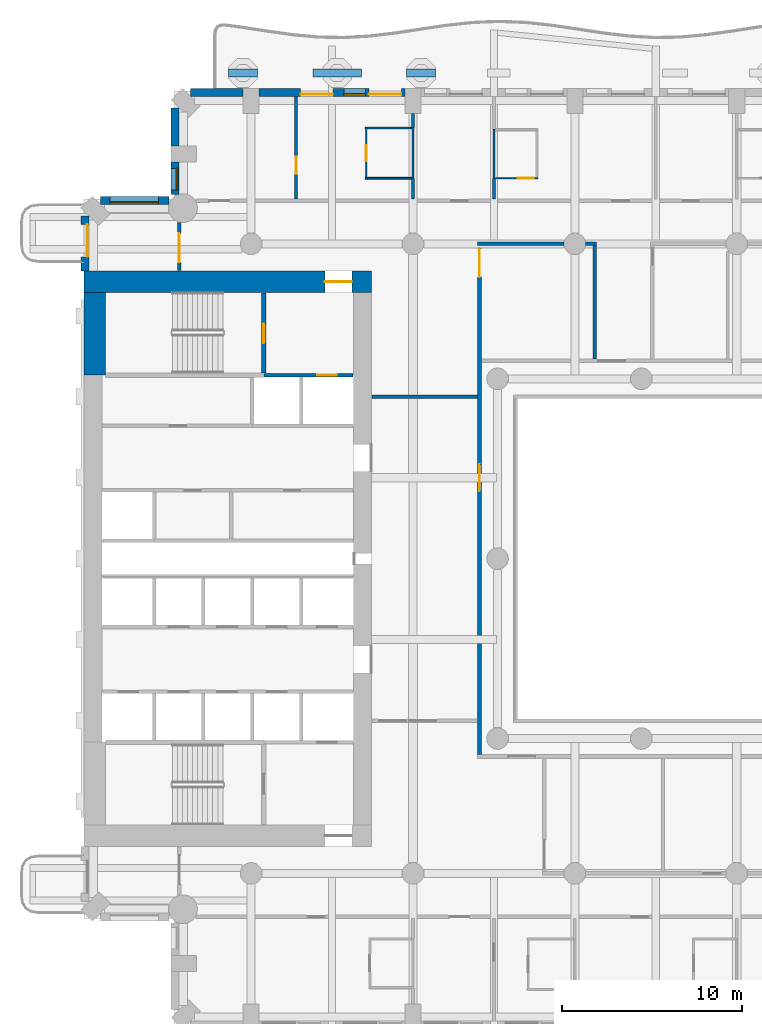
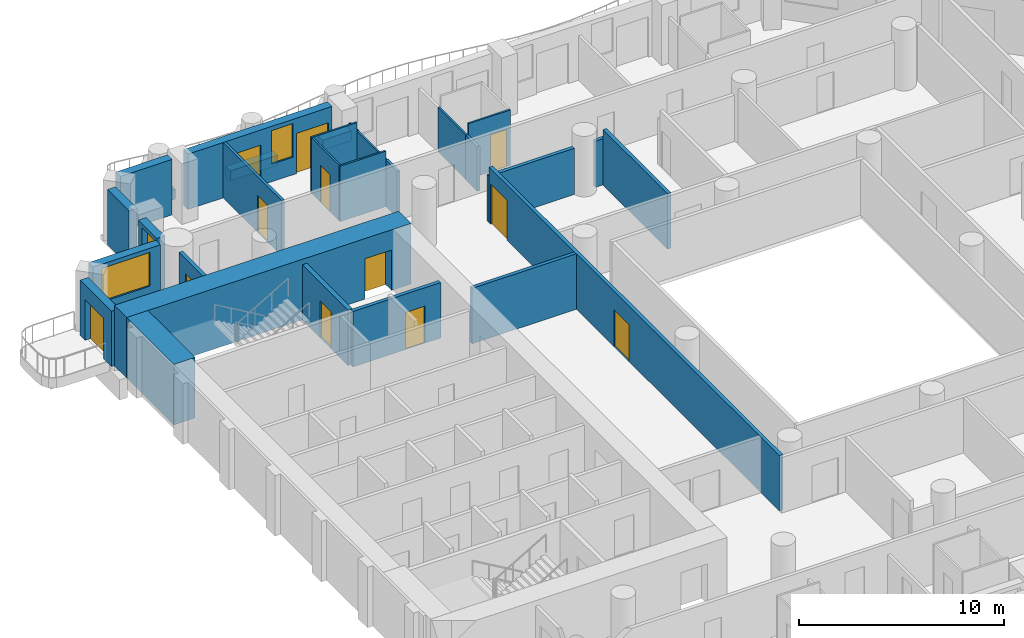
# One storey, part 7 of 19: 29 walls, 12 doors, 3 windows, 15 openings.
"""IFC4 building model written with IfcOpenShell, lengths in metres."""

from ifc_helpers import new_model, si_unit, direction, frame, frame_2d, origin, place, context, subcontext, project, spatial, rectangle, extrude, material, layer, layer_set, type_object, element, fill, save


model = new_model("IFC4")

# Units and contexts
model_context = context("Model", 3, precision=1e-05, world=origin(), true_north=direction((0.0, 1.0)))
body_context = subcontext(model_context, "Body", "Model", "MODEL_VIEW")
ifc_project = project(units=[si_unit("LENGTHUNIT", "METRE"), si_unit("AREAUNIT", "SQUARE_METRE"), si_unit("VOLUMEUNIT", "CUBIC_METRE"), si_unit("PLANEANGLEUNIT", "RADIAN"), si_unit("MASSUNIT", "GRAM", prefix="KILO")], contexts=[model_context])

# Site, building, storey
site_placement = place(None, origin())
site = spatial("IfcSite", under=ifc_project, at=site_placement, CompositionType="ELEMENT")
building_placement = place(site_placement, origin())
building = spatial("IfcBuilding", under=site, at=building_placement, Name="Cypress Arch Tower", CompositionType="ELEMENT")
storey_placement = place(building_placement, frame((0.0, 0.0, 98.699951171875)))
storey = spatial("IfcBuildingStorey", under=building, at=storey_placement, Name="L19", CompositionType="ELEMENT", Elevation=98.699951171875)

# Walls
ifc_material_1 = material(Name="Concrete C40/50, waterproofed", Category="concrete")
ifc_layer_1 = layer(ifc_material_1, 0.449951171875)
ifc_layer_set_1 = layer_set([ifc_layer_1], Name="Balcony planter wall PW450")
wall_type_1 = type_object("IfcWallType", Name="Balcony planter wall PW450", PredefinedType="SOLIDWALL", material=ifc_layer_set_1)
wall_1_placement = place(storey_placement, frame((-10.4375, 27.0, 0.0), z_axis=(0.0, 0.0, 1.0), x_axis=(-1.0, 0.0, 0.0)))
element("IfcWall", 1, at=wall_1_placement, inside=storey, type_object=wall_type_1, Name="Balcony planter wall L19-A08.4", PredefinedType="SOLIDWALL", context=body_context, shape_type="SweptSolid", body=[
    extrude(rectangle(XDim=1.612548828125, YDim=0.449951171875, at=frame_2d((0.80615234375, 0.0))), origin(), (0.0, 0.0, 1.0), 0.60009765625),
])
wall_2_placement = place(storey_placement, frame((-14.574951171875, 27.0, 0.0), z_axis=(0.0, 0.0, 1.0), x_axis=(-1.0, 0.0, 0.0)))
element("IfcWall", 2, at=wall_2_placement, inside=storey, type_object=wall_type_1, Name="Balcony planter wall L19-A08.5", PredefinedType="SOLIDWALL", context=body_context, shape_type="SweptSolid", body=[
    extrude(rectangle(XDim=2.675048828125, YDim=0.449951171875, at=frame_2d((1.33740234375, 0.0))), origin(), (0.0, 0.0, 1.0), 0.60009765625),
])
wall_3_placement = place(storey_placement, frame((-20.35009765625, 27.0, 0.0), z_axis=(0.0, 0.0, 1.0), x_axis=(-1.0, 0.0, 0.0)))
element("IfcWall", 3, at=wall_3_placement, inside=storey, type_object=wall_type_1, Name="Balcony planter wall L19-A08.6", PredefinedType="SOLIDWALL", context=body_context, shape_type="SweptSolid", body=[
    extrude(rectangle(XDim=1.599853515625, YDim=0.449951171875, at=frame_2d((0.7998046875, 0.0))), origin(), (0.0, 0.0, 1.0), 0.60009765625),
])

# Wall, opening, door
ifc_material_2 = material(Name="Brick (red buff blend)", Category="masonry")
ifc_layer_2 = layer(ifc_material_2, 0.449951171875)
ifc_layer_set_2 = layer_set([ifc_layer_2], Name="Brick pier and spandrel wall BW450")
wall_type_2 = type_object("IfcWallType", Name="Brick pier and spandrel wall BW450", PredefinedType="SOLIDWALL", material=ifc_layer_set_2)
wall_4_placement = place(storey_placement, frame((-29.925048828125, 19.063720703125, 0.0), z_axis=(0.0, 0.0, 1.0), x_axis=(0.0, -1.0, 0.0)))
wall_4 = element("IfcWall", 4, at=wall_4_placement, inside=storey, type_object=wall_type_2, Name="Brick wall L19 A00.0", PredefinedType="SOLIDWALL", context=body_context, shape_type="SweptSolid", body=[
    extrude(rectangle(XDim=3.063720703125, YDim=0.449951171875, at=frame_2d((1.53173828125, 0.0))), origin(), (0.0, 0.0, 1.0), 3.300048828125),
])
opening_1_placement = place(wall_4_placement, frame((0.481689453125, 0.0, 0.0)))
opening_1 = element("IfcOpeningElement", 5, at=opening_1_placement, cuts=wall_4, Name="Opening D-L19-A00.0.1", PredefinedType="OPENING", context=body_context, shape_type="SweptSolid", body=[
    extrude(rectangle(XDim=1.800048828125, YDim=2.39990234375, at=frame_2d((0.89990234375, 1.199951171875))), frame((0.0, 0.23486328125, 0.0), z_axis=(0.0, -1.0, 0.0), x_axis=(1.0, 0.0, 0.0)), (0.0, 0.0, 1.0), 0.469970703125),
])
ifc_material_3 = material(Name="Anodised aluminium, bronze finish, laminated low-emissivity double glazing, large-missile impact rated", Category="aluminium")
door_type_1 = type_object("IfcDoorType", Name="Balcony sliding door 1800x2400", OperationType="SLIDING_TO_LEFT", PredefinedType="DOOR", material=ifc_material_3)
door_1_placement = place(opening_1_placement, origin())
door_1 = element("IfcDoor", 6, at=door_1_placement, inside=storey, type_object=door_type_1, Name="Balcony door L19 A00.0.1", OperationType="SLIDING_TO_LEFT", OverallHeight=2.39990234375, OverallWidth=1.800048828125, PredefinedType="DOOR", context=body_context, shape_type="SweptSolid", body=[
    extrude(rectangle(XDim=1.800048828125, YDim=2.39990234375, at=frame_2d((0.89990234375, 1.199951171875))), frame((0.0, 0.1298828125, 0.0), z_axis=(0.0, -1.0, 0.0), x_axis=(1.0, 0.0, 0.0)), (0.0, 0.0, 1.0), 0.050048828125),
])
fill(opening_1, door_1)

# Wall, openings, doors, window
wall_5_placement = place(storey_placement, frame((-12.14990234375, 25.925048828125, 0.0), z_axis=(0.0, 0.0, 1.0), x_axis=(-1.0, 0.0, 0.0)))
wall_5 = element("IfcWall", 7, at=wall_5_placement, inside=storey, type_object=wall_type_2, Name="Brick wall L19 A08.3", PredefinedType="SOLIDWALL", context=body_context, shape_type="SweptSolid", body=[
    extrude(rectangle(XDim=8.10009765625, YDim=0.449951171875, at=frame_2d((4.050048828125, 0.0))), origin(), (0.0, 0.0, 1.0), 3.300048828125),
])
opening_2_placement = place(wall_5_placement, frame((0.199951171875, 0.0, 0.0)))
opening_2 = element("IfcOpeningElement", 8, at=opening_2_placement, cuts=wall_5, Name="Opening D-L19-A08.3.1", PredefinedType="OPENING", context=body_context, shape_type="SweptSolid", body=[
    extrude(rectangle(XDim=1.800048828125, YDim=2.39990234375, at=frame_2d((0.89990234375, 1.199951171875))), frame((0.0, 0.23486328125, 0.0), z_axis=(0.0, -1.0, 0.0), x_axis=(1.0, 0.0, 0.0)), (0.0, 0.0, 1.0), 0.469970703125),
])
opening_3_placement = place(wall_5_placement, frame((2.199951171875, 0.0, 1.050048828125)))
opening_3 = element("IfcOpeningElement", 9, at=opening_3_placement, cuts=wall_5, Name="Opening W120HD", PredefinedType="OPENING", context=body_context, shape_type="SweptSolid", body=[
    extrude(rectangle(XDim=1.199951171875, YDim=2.0, at=frame_2d((0.60009765625, 1.0))), frame((0.0, 0.23486328125, 0.0), z_axis=(0.0, -1.0, 0.0), x_axis=(1.0, 0.0, 0.0)), (0.0, 0.0, 1.0), 0.469970703125),
])
opening_4_placement = place(wall_5_placement, frame((4.0, 0.0, 0.0)))
opening_4 = element("IfcOpeningElement", 10, at=opening_4_placement, cuts=wall_5, Name="Opening D-L19-A08.3.2", PredefinedType="OPENING", context=body_context, shape_type="SweptSolid", body=[
    extrude(rectangle(XDim=1.800048828125, YDim=2.39990234375, at=frame_2d((0.89990234375, 1.199951171875))), frame((0.0, 0.23486328125, 0.0), z_axis=(0.0, -1.0, 0.0), x_axis=(1.0, 0.0, 0.0)), (0.0, 0.0, 1.0), 0.469970703125),
])
door_2_placement = place(opening_2_placement, origin())
door_2 = element("IfcDoor", 11, at=door_2_placement, inside=storey, type_object=door_type_1, Name="Balcony door L19 A08.3.1", OperationType="SLIDING_TO_LEFT", OverallHeight=2.39990234375, OverallWidth=1.800048828125, PredefinedType="DOOR", context=body_context, shape_type="SweptSolid", body=[
    extrude(rectangle(XDim=1.800048828125, YDim=2.39990234375, at=frame_2d((0.89990234375, 1.199951171875))), frame((0.0, 0.1298828125, 0.0), z_axis=(0.0, -1.0, 0.0), x_axis=(1.0, 0.0, 0.0)), (0.0, 0.0, 1.0), 0.050048828125),
])
fill(opening_2, door_2)
door_3_placement = place(opening_4_placement, origin())
door_3 = element("IfcDoor", 12, at=door_3_placement, inside=storey, type_object=door_type_1, Name="Balcony door L19 A08.3.2", OperationType="SLIDING_TO_LEFT", OverallHeight=2.39990234375, OverallWidth=1.800048828125, PredefinedType="DOOR", context=body_context, shape_type="SweptSolid", body=[
    extrude(rectangle(XDim=1.800048828125, YDim=2.39990234375, at=frame_2d((0.89990234375, 1.199951171875))), frame((0.0, 0.1298828125, 0.0), z_axis=(0.0, -1.0, 0.0), x_axis=(1.0, 0.0, 0.0)), (0.0, 0.0, 1.0), 0.050048828125),
])
fill(opening_4, door_3)
ifc_material_4 = material(Name="Anodised aluminium, bronze finish, laminated low-emissivity double glazing, large-missile impact rated", Category="aluminium")
window_type_1 = type_object("IfcWindowType", Name="Window Hotel 1200x2000 debris-rated", PartitioningType="SINGLE_PANEL", PredefinedType="WINDOW", material=ifc_material_4)
window_1_placement = place(opening_3_placement, origin())
window_1 = element("IfcWindow", 13, at=window_1_placement, inside=storey, type_object=window_type_1, Name="Window L19 A08.3.1", OverallHeight=2.0, OverallWidth=1.199951171875, PartitioningType="SINGLE_PANEL", PredefinedType="WINDOW", context=body_context, shape_type="SweptSolid", body=[
    extrude(rectangle(XDim=1.199951171875, YDim=2.0, at=frame_2d((0.60009765625, 1.0))), frame((0.0, 0.135009765625, 0.0), z_axis=(0.0, -1.0, 0.0), x_axis=(1.0, 0.0, 0.0)), (0.0, 0.0, 1.0), 0.06005859375),
])
fill(opening_3, window_1)

# Walls
wall_6_placement = place(storey_placement, frame((-21.14990234375, 25.925048828125, 0.0), z_axis=(0.0, 0.0, 1.0), x_axis=(-1.0, 0.0, 0.0)))
element("IfcWall", 14, at=wall_6_placement, inside=storey, type_object=wall_type_2, Name="Brick wall L19 A08.4", PredefinedType="SOLIDWALL", context=body_context, shape_type="SweptSolid", body=[
    extrude(rectangle(XDim=2.913818359375, YDim=0.449951171875, at=frame_2d((1.45703125, 0.0))), origin(), (0.0, 0.0, 1.0), 3.300048828125),
])
wall_7_placement = place(storey_placement, frame((-24.925048828125, 25.063720703125, 0.0), z_axis=(0.0, 0.0, 1.0), x_axis=(0.0, -1.0, 0.0)))
element("IfcWall", 15, at=wall_7_placement, inside=storey, type_object=wall_type_2, Name="Brick wall L19 A09.0", PredefinedType="SOLIDWALL", context=body_context, shape_type="SweptSolid", body=[
    extrude(rectangle(XDim=2.11376953125, YDim=0.449951171875, at=frame_2d((1.056884765625, 0.0))), origin(), (0.0, 0.0, 1.0), 3.300048828125),
])

# Wall, opening, window
wall_8_placement = place(storey_placement, frame((-24.925048828125, 22.050048828125, 0.0), z_axis=(0.0, 0.0, 1.0), x_axis=(0.0, -1.0, 0.0)))
wall_8 = element("IfcWall", 16, at=wall_8_placement, inside=storey, type_object=wall_type_2, Name="Brick wall L19 A09.1", PredefinedType="SOLIDWALL", context=body_context, shape_type="SweptSolid", body=[
    extrude(rectangle(XDim=1.79150390625, YDim=0.449951171875, at=frame_2d((0.895751953125, 0.0))), origin(), (0.0, 0.0, 1.0), 3.300048828125),
])
opening_5_placement = place(wall_8_placement, frame((0.35009765625, 0.0, 1.050048828125)))
opening_5 = element("IfcOpeningElement", 17, at=opening_5_placement, cuts=wall_8, Name="Opening W120H", PredefinedType="OPENING", context=body_context, shape_type="SweptSolid", body=[
    extrude(rectangle(XDim=1.199951171875, YDim=2.0, at=frame_2d((0.60009765625, 1.0))), frame((0.0, 0.23486328125, 0.0), z_axis=(0.0, -1.0, 0.0), x_axis=(1.0, 0.0, 0.0)), (0.0, 0.0, 1.0), 0.469970703125),
])
ifc_material_5 = material(Name="Anodised aluminium, bronze finish, clear low-emissivity double glazing", Category="aluminium")
window_type_2 = type_object("IfcWindowType", Name="Window Hotel 1200x2000", PartitioningType="SINGLE_PANEL", PredefinedType="WINDOW", material=ifc_material_5)
window_2_placement = place(opening_5_placement, origin())
window_2 = element("IfcWindow", 18, at=window_2_placement, inside=storey, type_object=window_type_2, Name="Window L19 A09.1.1", OverallHeight=2.0, OverallWidth=1.199951171875, PartitioningType="SINGLE_PANEL", PredefinedType="WINDOW", context=body_context, shape_type="SweptSolid", body=[
    extrude(rectangle(XDim=1.199951171875, YDim=2.0, at=frame_2d((0.60009765625, 1.0))), frame((0.0, 0.135009765625, 0.0), z_axis=(0.0, -1.0, 0.0), x_axis=(1.0, 0.0, 0.0)), (0.0, 0.0, 1.0), 0.06005859375),
])
fill(opening_5, window_2)

wall_9_placement = place(storey_placement, frame((-25.258544921875, 19.925048828125, 0.0), z_axis=(0.0, 0.0, 1.0), x_axis=(-1.0, 0.0, 0.0)))
wall_9 = element("IfcWall", 19, at=wall_9_placement, inside=storey, type_object=wall_type_2, Name="Brick wall L19 A10.0", PredefinedType="SOLIDWALL", context=body_context, shape_type="SweptSolid", body=[
    extrude(rectangle(XDim=3.80517578125, YDim=0.449951171875, at=frame_2d((1.902587890625, 0.0))), origin(), (0.0, 0.0, 1.0), 3.300048828125),
])
opening_6_placement = place(wall_9_placement, frame((0.591552734375, 0.0, 1.050048828125)))
opening_6 = element("IfcOpeningElement", 20, at=opening_6_placement, cuts=wall_9, Name="Opening W270H", PredefinedType="OPENING", context=body_context, shape_type="SweptSolid", body=[
    extrude(rectangle(XDim=2.699951171875, YDim=2.0, at=frame_2d((1.35009765625, 1.0))), frame((0.0, 0.23486328125, 0.0), z_axis=(0.0, -1.0, 0.0), x_axis=(1.0, 0.0, 0.0)), (0.0, 0.0, 1.0), 0.469970703125),
])
ifc_material_6 = material(Name="Anodised aluminium, bronze finish, clear low-emissivity double glazing", Category="aluminium")
window_type_3 = type_object("IfcWindowType", Name="Window Hotel 2700x2000", PartitioningType="SINGLE_PANEL", PredefinedType="WINDOW", material=ifc_material_6)
window_3_placement = place(opening_6_placement, origin())
window_3 = element("IfcWindow", 21, at=window_3_placement, inside=storey, type_object=window_type_3, Name="Window L19 A10.0.1", OverallHeight=2.0, OverallWidth=2.699951171875, PartitioningType="SINGLE_PANEL", PredefinedType="WINDOW", context=body_context, shape_type="SweptSolid", body=[
    extrude(rectangle(XDim=2.699951171875, YDim=2.0, at=frame_2d((1.35009765625, 1.0))), frame((0.0, 0.135009765625, 0.0), z_axis=(0.0, -1.0, 0.0), x_axis=(1.0, 0.0, 0.0)), (0.0, 0.0, 1.0), 0.06005859375),
])
fill(opening_6, window_3)

# Wall, opening, door
ifc_material_7 = material(Name="Concrete C80/95", Category="concrete")
ifc_layer_3 = layer(ifc_material_7, 1.199951171875)
ifc_layer_set_3 = layer_set([ifc_layer_3], Name="Core wall CW1200 C80/95")
wall_type_3 = type_object("IfcWallType", Name="Core wall CW1200 C80/95", PredefinedType="SHEAR", material=ifc_layer_set_3)
wall_10_placement = place(storey_placement, frame((-30.0, 15.39990234375, 0.0), z_axis=(0.0, 0.0, 1.0), x_axis=(1.0, 0.0, 0.0)))
wall_10 = element("IfcWall", 22, at=wall_10_placement, inside=storey, type_object=wall_type_3, Name="Core wall", PredefinedType="SHEAR", context=body_context, shape_type="SweptSolid", body=[
    extrude(rectangle(XDim=16.0, YDim=1.199951171875, at=frame_2d((8.0, 0.0))), origin(), (0.0, 0.0, 1.0), 3.60009765625),
])
opening_7_placement = place(wall_10_placement, frame((13.39990234375, 0.0, 0.0)))
opening_7 = element("IfcOpeningElement", 23, at=opening_7_placement, cuts=wall_10, Name="Opening D07", PredefinedType="OPENING", context=body_context, shape_type="SweptSolid", body=[
    extrude(rectangle(XDim=1.5, YDim=2.39990234375, at=frame_2d((0.75, 1.199951171875))), frame((0.0, 0.60986328125, 0.0), z_axis=(0.0, -1.0, 0.0), x_axis=(1.0, 0.0, 0.0)), (0.0, 0.0, 1.0), 1.219970703125),
])
ifc_material_8 = material(Name="Steel framed glazed door, fire resisting", Category="steel")
door_type_2 = type_object("IfcDoorType", Name="Lobby door D07 1500x2400", OperationType="DOUBLE_DOOR_SINGLE_SWING", PredefinedType="DOOR", material=ifc_material_8)
door_4_placement = place(opening_7_placement, origin())
door_4 = element("IfcDoor", 24, at=door_4_placement, inside=storey, type_object=door_type_2, Name="Lobby door", OperationType="DOUBLE_DOOR_SINGLE_SWING", OverallHeight=2.39990234375, OverallWidth=1.5, PredefinedType="DOOR", context=body_context, shape_type="SweptSolid", body=[
    extrude(rectangle(XDim=1.5, YDim=2.39990234375, at=frame_2d((0.75, 1.199951171875))), frame((0.0, 0.02490234375, 0.0), z_axis=(0.0, -1.0, 0.0), x_axis=(1.0, 0.0, 0.0)), (0.0, 0.0, 1.0), 0.050048828125),
])
fill(opening_7, door_4)

# Wall
wall_11_placement = place(storey_placement, frame((-29.39990234375, 10.199951171875, 0.0), z_axis=(0.0, 0.0, 1.0), x_axis=(0.0, 1.0, 0.0)))
element("IfcWall", 25, at=wall_11_placement, inside=storey, type_object=wall_type_3, Name="Core wall", PredefinedType="SHEAR", context=body_context, shape_type="SweptSolid", body=[
    extrude(rectangle(XDim=4.60009765625, YDim=1.199951171875, at=frame_2d((2.300048828125, 0.0))), origin(), (0.0, 0.0, 1.0), 3.60009765625),
])

# Wall, opening, door
ifc_material_9 = material(Name="Concrete blockwork, plastered, rated", Category="masonry")
ifc_layer_4 = layer(ifc_material_9, 0.199951171875)
ifc_layer_set_4 = layer_set([ifc_layer_4], Name="Corridor wall FW200")
wall_type_4 = type_object("IfcWallType", Name="Corridor wall FW200", PredefinedType="PARTITIONING", material=ifc_layer_set_4)
wall_12_placement = place(storey_placement, frame((-24.699951171875, 16.030029296875, 0.0), z_axis=(0.0, 0.0, 1.0), x_axis=(0.0, 1.0, 0.0)))
wall_12 = element("IfcWall", 26, at=wall_12_placement, inside=storey, type_object=wall_type_4, Name="Corridor wall", PredefinedType="PARTITIONING", context=body_context, shape_type="SweptSolid", body=[
    extrude(rectangle(XDim=2.670166015625, YDim=0.199951171875, at=frame_2d((1.3349609375, 0.0))), origin(), (0.0, 0.0, 1.0), 3.300048828125),
])
opening_8_placement = place(wall_12_placement, frame((0.449951171875, 0.0, 0.0)))
opening_8 = element("IfcOpeningElement", 27, at=opening_8_placement, cuts=wall_12, Name="Opening D10", PredefinedType="OPENING", context=body_context, shape_type="SweptSolid", body=[
    extrude(rectangle(XDim=1.60009765625, YDim=2.39990234375, at=frame_2d((0.800048828125, 1.199951171875))), frame((0.0, 0.10986328125, 0.0), z_axis=(0.0, -1.0, 0.0), x_axis=(1.0, 0.0, 0.0)), (0.0, 0.0, 1.0), 0.219970703125),
])
ifc_material_10 = material(Name="Black aluminium glazed door", Category="aluminium")
door_type_3 = type_object("IfcDoorType", Name="Amenity door D10 1600x2400", OperationType="DOUBLE_DOOR_SINGLE_SWING", PredefinedType="DOOR", material=ifc_material_10)
door_5_placement = place(opening_8_placement, origin())
door_5 = element("IfcDoor", 28, at=door_5_placement, inside=storey, type_object=door_type_3, Name="Amenity door", OperationType="DOUBLE_DOOR_SINGLE_SWING", OverallHeight=2.39990234375, OverallWidth=1.60009765625, PredefinedType="DOOR", context=body_context, shape_type="SweptSolid", body=[
    extrude(rectangle(XDim=1.60009765625, YDim=2.39990234375, at=frame_2d((0.800048828125, 1.199951171875))), frame((0.0, 0.02490234375, 0.0), z_axis=(0.0, -1.0, 0.0), x_axis=(1.0, 0.0, 0.0)), (0.0, 0.0, 1.0), 0.050048828125),
])
fill(opening_8, door_5)

# Wall
wall_13_placement = place(storey_placement, frame((-13.969970703125, 9.0, 0.0), z_axis=(0.0, 0.0, 1.0), x_axis=(1.0, 0.0, 0.0)))
element("IfcWall", 29, at=wall_13_placement, inside=storey, type_object=wall_type_4, Name="Corridor wall", PredefinedType="PARTITIONING", context=body_context, shape_type="SweptSolid", body=[
    extrude(rectangle(XDim=5.869873046875, YDim=0.199951171875, at=frame_2d((2.93505859375, 0.0))), origin(), (0.0, 0.0, 1.0), 3.300048828125),
])

# Wall, openings, doors
wall_14_placement = place(storey_placement, frame((-8.0, -10.89990234375, 0.0), z_axis=(0.0, 0.0, 1.0), x_axis=(0.0, 1.0, 0.0)))
wall_14 = element("IfcWall", 30, at=wall_14_placement, inside=storey, type_object=wall_type_4, Name="Corridor wall", PredefinedType="PARTITIONING", context=body_context, shape_type="SweptSolid", body=[
    extrude(rectangle(XDim=28.2998046875, YDim=0.199951171875, at=frame_2d((14.14990234375, 0.0))), origin(), (0.0, 0.0, 1.0), 3.300048828125),
])
opening_9_placement = place(wall_14_placement, frame((14.64990234375, 0.0, 0.0)))
opening_9 = element("IfcOpeningElement", 31, at=opening_9_placement, cuts=wall_14, Name="Opening D04", PredefinedType="OPENING", context=body_context, shape_type="SweptSolid", body=[
    extrude(rectangle(XDim=1.5, YDim=2.199951171875, at=frame_2d((0.75, 1.10009765625))), frame((0.0, 0.10986328125, 0.0), z_axis=(0.0, -1.0, 0.0), x_axis=(1.0, 0.0, 0.0)), (0.0, 0.0, 1.0), 0.219970703125),
])
opening_10_placement = place(wall_14_placement, frame((26.550048828125, 0.0, 0.0)))
opening_10 = element("IfcOpeningElement", 32, at=opening_10_placement, cuts=wall_14, Name="Opening D10", PredefinedType="OPENING", context=body_context, shape_type="SweptSolid", body=[
    extrude(rectangle(XDim=1.60009765625, YDim=2.39990234375, at=frame_2d((0.800048828125, 1.199951171875))), frame((0.0, 0.10986328125, 0.0), z_axis=(0.0, -1.0, 0.0), x_axis=(1.0, 0.0, 0.0)), (0.0, 0.0, 1.0), 0.219970703125),
])
door_6_placement = place(opening_10_placement, origin())
door_6 = element("IfcDoor", 33, at=door_6_placement, inside=storey, type_object=door_type_3, Name="Amenity door", OperationType="DOUBLE_DOOR_SINGLE_SWING", OverallHeight=2.39990234375, OverallWidth=1.60009765625, PredefinedType="DOOR", context=body_context, shape_type="SweptSolid", body=[
    extrude(rectangle(XDim=1.60009765625, YDim=2.39990234375, at=frame_2d((0.800048828125, 1.199951171875))), frame((0.0, 0.02490234375, 0.0), z_axis=(0.0, -1.0, 0.0), x_axis=(1.0, 0.0, 0.0)), (0.0, 0.0, 1.0), 0.050048828125),
])
fill(opening_10, door_6)
ifc_material_11 = material(Name="Timber double door", Category="wood")
door_type_4 = type_object("IfcDoorType", Name="Double door D04 1500x2200", OperationType="DOUBLE_DOOR_SINGLE_SWING", PredefinedType="DOOR", material=ifc_material_11)
door_7_placement = place(opening_9_placement, origin())
door_7 = element("IfcDoor", 34, at=door_7_placement, inside=storey, type_object=door_type_4, Name="Double door", OperationType="DOUBLE_DOOR_SINGLE_SWING", OverallHeight=2.199951171875, OverallWidth=1.5, PredefinedType="DOOR", context=body_context, shape_type="SweptSolid", body=[
    extrude(rectangle(XDim=1.5, YDim=2.199951171875, at=frame_2d((0.75, 1.10009765625))), frame((0.0, 0.02490234375, 0.0), z_axis=(0.0, -1.0, 0.0), x_axis=(1.0, 0.0, 0.0)), (0.0, 0.0, 1.0), 0.050048828125),
])
fill(opening_9, door_7)

# Walls
wall_15_placement = place(storey_placement, frame((-8.10009765625, 17.5, 0.0), z_axis=(0.0, 0.0, 1.0), x_axis=(1.0, 0.0, 0.0)))
element("IfcWall", 35, at=wall_15_placement, inside=storey, type_object=wall_type_4, Name="Corridor wall", PredefinedType="PARTITIONING", context=body_context, shape_type="SweptSolid", body=[
    extrude(rectangle(XDim=4.800048828125, YDim=0.199951171875, at=frame_2d((2.39990234375, 0.0))), origin(), (0.0, 0.0, 1.0), 2.75),
])
wall_16_placement = place(storey_placement, frame((-2.10009765625, 17.5, 0.0), z_axis=(0.0, 0.0, 1.0), x_axis=(1.0, 0.0, 0.0)))
element("IfcWall", 36, at=wall_16_placement, inside=storey, type_object=wall_type_4, Name="Corridor wall", PredefinedType="PARTITIONING", context=body_context, shape_type="SweptSolid", body=[
    extrude(rectangle(XDim=0.60009765625, YDim=0.199951171875, at=frame_2d((0.300048828125, 0.0))), origin(), (0.0, 0.0, 1.0), 2.75),
])
wall_17_placement = place(storey_placement, frame((-1.60009765625, 11.10009765625, 0.0), z_axis=(0.0, 0.0, 1.0), x_axis=(0.0, 1.0, 0.0)))
element("IfcWall", 37, at=wall_17_placement, inside=storey, type_object=wall_type_4, Name="Corridor wall", PredefinedType="PARTITIONING", context=body_context, shape_type="SweptSolid", body=[
    extrude(rectangle(XDim=6.2998046875, YDim=0.199951171875, at=frame_2d((3.14990234375, 0.0))), origin(), (0.0, 0.0, 1.0), 3.300048828125),
])

# Wall, opening, door
ifc_material_12 = material(Name="Blockwork, plastered both sides", Category="masonry")
ifc_layer_5 = layer(ifc_material_12, 0.14990234375)
ifc_layer_set_5 = layer_set([ifc_layer_5], Name="Partition PW150")
wall_type_5 = type_object("IfcWallType", Name="Partition PW150", PredefinedType="PARTITIONING", material=ifc_layer_set_5)
wall_18_placement = place(storey_placement, frame((-18.199951171875, 20.0, 0.0), z_axis=(0.0, 0.0, 1.0), x_axis=(0.0, 1.0, 0.0)))
wall_18 = element("IfcWall", 38, at=wall_18_placement, inside=storey, type_object=wall_type_5, Name="Partition", PredefinedType="PARTITIONING", context=body_context, shape_type="SweptSolid", body=[
    extrude(rectangle(XDim=5.699951171875, YDim=0.14990234375, at=frame_2d((2.85009765625, 0.0))), origin(), (0.0, 0.0, 1.0), 3.300048828125),
])
opening_11_placement = place(wall_18_placement, frame((1.39990234375, 0.0, 0.0)))
opening_11 = element("IfcOpeningElement", 39, at=opening_11_placement, cuts=wall_18, Name="Opening D12", PredefinedType="OPENING", context=body_context, shape_type="SweptSolid", body=[
    extrude(rectangle(XDim=0.949951171875, YDim=2.199951171875, at=frame_2d((0.47509765625, 1.10009765625))), frame((0.0, 0.0849609375, 0.0), z_axis=(0.0, -1.0, 0.0), x_axis=(1.0, 0.0, 0.0)), (0.0, 0.0, 1.0), 0.169921875),
])
ifc_material_13 = material(Name="Timber flush door", Category="wood")
door_type_5 = type_object("IfcDoorType", Name="Room door D12 950x2200", OperationType="SINGLE_SWING_LEFT", PredefinedType="DOOR", material=ifc_material_13)
door_8_placement = place(opening_11_placement, origin())
door_8 = element("IfcDoor", 40, at=door_8_placement, inside=storey, type_object=door_type_5, Name="Room door", OperationType="SINGLE_SWING_LEFT", OverallHeight=2.199951171875, OverallWidth=0.949951171875, PredefinedType="DOOR", context=body_context, shape_type="SweptSolid", body=[
    extrude(rectangle(XDim=0.949951171875, YDim=2.199951171875, at=frame_2d((0.47509765625, 1.10009765625))), frame((0.0, 0.02490234375, 0.0), z_axis=(0.0, -1.0, 0.0), x_axis=(1.0, 0.0, 0.0)), (0.0, 0.0, 1.0), 0.050048828125),
])
fill(opening_11, door_8)

# Walls
wall_19_placement = place(storey_placement, frame((-11.699951171875, 20.0, 0.0), z_axis=(0.0, 0.0, 1.0), x_axis=(0.0, 1.0, 0.0)))
element("IfcWall", 41, at=wall_19_placement, inside=storey, type_object=wall_type_5, Name="Partition", PredefinedType="PARTITIONING", context=body_context, shape_type="SweptSolid", body=[
    extrude(rectangle(XDim=1.1298828125, YDim=0.14990234375, at=frame_2d((0.56494140625, 0.0))), origin(), (0.0, 0.0, 1.0), 2.75),
])
wall_20_placement = place(storey_placement, frame((-11.699951171875, 23.969970703125, 0.0), z_axis=(0.0, 0.0, 1.0), x_axis=(0.0, 1.0, 0.0)))
element("IfcWall", 42, at=wall_20_placement, inside=storey, type_object=wall_type_5, Name="Partition", PredefinedType="PARTITIONING", context=body_context, shape_type="SweptSolid", body=[
    extrude(rectangle(XDim=0.780029296875, YDim=0.14990234375, at=frame_2d((0.39013671875, 0.0))), origin(), (0.0, 0.0, 1.0), 2.75),
])
wall_21_placement = place(storey_placement, frame((-7.199951171875, 20.0, 0.0), z_axis=(0.0, 0.0, 1.0), x_axis=(0.0, 1.0, 0.0)))
element("IfcWall", 43, at=wall_21_placement, inside=storey, type_object=wall_type_5, Name="Partition", PredefinedType="PARTITIONING", context=body_context, shape_type="SweptSolid", body=[
    extrude(rectangle(XDim=1.1298828125, YDim=0.14990234375, at=frame_2d((0.56494140625, 0.0))), origin(), (0.0, 0.0, 1.0), 2.650146484375),
])

# Wall, opening, door
ifc_material_14 = material(Name="Concrete C50/60", Category="concrete")
ifc_layer_6 = layer(ifc_material_14, 0.199951171875)
ifc_layer_set_6 = layer_set([ifc_layer_6], Name="Shaft wall SH200")
wall_type_6 = type_object("IfcWallType", Name="Shaft wall SH200", PredefinedType="SHEAR", material=ifc_layer_set_6)
wall_22_placement = place(storey_placement, frame((-19.97998046875, 10.199951171875, 0.0), z_axis=(0.0, 0.0, 1.0), x_axis=(1.0, 0.0, 0.0)))
wall_22 = element("IfcWall", 44, at=wall_22_placement, inside=storey, type_object=wall_type_6, Name="Shaft wall", PredefinedType="SHEAR", context=body_context, shape_type="SweptSolid", body=[
    extrude(rectangle(XDim=4.949951171875, YDim=0.199951171875, at=frame_2d((2.47509765625, 0.0))), origin(), (0.0, 0.0, 1.0), 3.300048828125),
])
opening_12_placement = place(wall_22_placement, frame((2.949951171875, 0.0, 0.0)))
opening_12 = element("IfcOpeningElement", 45, at=opening_12_placement, cuts=wall_22, Name="Opening LD-FL2", PredefinedType="OPENING", context=body_context, shape_type="SweptSolid", body=[
    extrude(rectangle(XDim=1.10009765625, YDim=2.199951171875, at=frame_2d((0.550048828125, 1.10009765625))), frame((0.0, 0.10986328125, 0.0), z_axis=(0.0, -1.0, 0.0), x_axis=(1.0, 0.0, 0.0)), (0.0, 0.0, 1.0), 0.219970703125),
])
ifc_material_15 = material(Name="Stainless steel centre-opening landing door, rated", Category="steel")
door_type_6 = type_object("IfcDoorType", Name="Lift landing door LD 1100x2200", OperationType="DOUBLE_DOOR_SLIDING", PredefinedType="DOOR", material=ifc_material_15)
door_9_placement = place(opening_12_placement, origin())
door_9 = element("IfcDoor", 46, at=door_9_placement, inside=storey, type_object=door_type_6, Name="Lift landing doors FL2", OperationType="DOUBLE_DOOR_SLIDING", OverallHeight=2.199951171875, OverallWidth=1.10009765625, PredefinedType="DOOR", context=body_context, shape_type="SweptSolid", body=[
    extrude(rectangle(XDim=1.10009765625, YDim=2.199951171875, at=frame_2d((0.550048828125, 1.10009765625))), frame((0.0, 0.02490234375, 0.0), z_axis=(0.0, -1.0, 0.0), x_axis=(1.0, 0.0, 0.0)), (0.0, 0.0, 1.0), 0.050048828125),
])
fill(opening_12, door_9)

ifc_material_16 = material(Name="Concrete C50/60", Category="concrete")
ifc_layer_7 = layer(ifc_material_16, 0.25)
ifc_layer_set_7 = layer_set([ifc_layer_7], Name="Stair enclosure wall SW250")
wall_type_7 = type_object("IfcWallType", Name="Stair enclosure wall SW250", PredefinedType="SHEAR", material=ifc_layer_set_7)
wall_23_placement = place(storey_placement, frame((-20.0, 10.324951171875, 0.0), z_axis=(0.0, 0.0, 1.0), x_axis=(0.0, 1.0, 0.0)))
wall_23 = element("IfcWall", 47, at=wall_23_placement, inside=storey, type_object=wall_type_7, Name="Stair enclosure wall", PredefinedType="SHEAR", context=body_context, shape_type="SweptSolid", body=[
    extrude(rectangle(XDim=4.445068359375, YDim=0.25, at=frame_2d((2.22265625, 0.0))), origin(), (0.0, 0.0, 1.0), 3.300048828125),
])
opening_13_placement = place(wall_23_placement, frame((1.64990234375, 0.0, 0.0)))
opening_13 = element("IfcOpeningElement", 48, at=opening_13_placement, cuts=wall_23, Name="Opening D06", PredefinedType="OPENING", context=body_context, shape_type="SweptSolid", body=[
    extrude(rectangle(XDim=1.10009765625, YDim=2.199951171875, at=frame_2d((0.550048828125, 1.10009765625))), frame((0.0, 0.135009765625, 0.0), z_axis=(0.0, -1.0, 0.0), x_axis=(1.0, 0.0, 0.0)), (0.0, 0.0, 1.0), 0.27001953125),
])
ifc_material_17 = material(Name="Steel door, fire resisting, panic bar", Category="steel")
door_type_7 = type_object("IfcDoorType", Name="Stair door D06 1100x2200", OperationType="SINGLE_SWING_LEFT", PredefinedType="DOOR", material=ifc_material_17)
door_10_placement = place(opening_13_placement, origin())
door_10 = element("IfcDoor", 49, at=door_10_placement, inside=storey, type_object=door_type_7, Name="Stair door", OperationType="SINGLE_SWING_LEFT", OverallHeight=2.199951171875, OverallWidth=1.10009765625, PredefinedType="DOOR", context=body_context, shape_type="SweptSolid", body=[
    extrude(rectangle(XDim=1.10009765625, YDim=2.199951171875, at=frame_2d((0.550048828125, 1.10009765625))), frame((0.0, 0.02490234375, 0.0), z_axis=(0.0, -1.0, 0.0), x_axis=(1.0, 0.0, 0.0)), (0.0, 0.0, 1.0), 0.050048828125),
])
fill(opening_13, door_10)

ifc_material_18 = material(Name="Moisture resistant board on steel studs, tiled", Category="steel")
ifc_layer_8 = layer(ifc_material_18, 0.10009765625)
ifc_layer_set_8 = layer_set([ifc_layer_8], Name="Wet wall PW100")
wall_type_8 = type_object("IfcWallType", Name="Wet wall PW100", PredefinedType="PARTITIONING", material=ifc_layer_set_8)
wall_24_placement = place(storey_placement, frame((-14.2958984375, 21.199951171875, 0.0), z_axis=(0.0, 0.0, 1.0), x_axis=(0.0, 1.0, 0.0)))
wall_24 = element("IfcWall", 50, at=wall_24_placement, inside=storey, type_object=wall_type_8, Name="Wet wall", PredefinedType="PARTITIONING", context=body_context, shape_type="SweptSolid", body=[
    extrude(rectangle(XDim=2.699951171875, YDim=0.10009765625, at=frame_2d((1.35009765625, 0.0))), origin(), (0.0, 0.0, 1.0), 3.300048828125),
])
opening_14_placement = place(wall_24_placement, frame((0.89990234375, 0.0, 0.0)))
opening_14 = element("IfcOpeningElement", 51, at=opening_14_placement, cuts=wall_24, Name="Opening D03", PredefinedType="OPENING", context=body_context, shape_type="SweptSolid", body=[
    extrude(rectangle(XDim=0.89990234375, YDim=2.199951171875, at=frame_2d((0.449951171875, 1.10009765625))), frame((0.0, 0.06005859375, 0.0), z_axis=(0.0, -1.0, 0.0), x_axis=(1.0, 0.0, 0.0)), (0.0, 0.0, 1.0), 0.1201171875),
])
ifc_material_19 = material(Name="Timber flush door, moisture resistant", Category="wood")
door_type_8 = type_object("IfcDoorType", Name="Bathroom door D03 900x2200", OperationType="SINGLE_SWING_LEFT", PredefinedType="DOOR", material=ifc_material_19)
door_11_placement = place(opening_14_placement, origin())
door_11 = element("IfcDoor", 52, at=door_11_placement, inside=storey, type_object=door_type_8, Name="Bathroom door", OperationType="SINGLE_SWING_LEFT", OverallHeight=2.199951171875, OverallWidth=0.89990234375, PredefinedType="DOOR", context=body_context, shape_type="SweptSolid", body=[
    extrude(rectangle(XDim=0.89990234375, YDim=2.199951171875, at=frame_2d((0.449951171875, 1.10009765625))), frame((0.0, 0.02490234375, 0.0), z_axis=(0.0, -1.0, 0.0), x_axis=(1.0, 0.0, 0.0)), (0.0, 0.0, 1.0), 0.050048828125),
])
fill(opening_14, door_11)

# Walls
for number, where, z_axis, x_axis, name in (
    (53, (-14.345947265625, 21.14990234375, 0.0), (0.0, 0.0, 1.0), (1.0, 0.0, 0.0), "Wet wall"),
    (54, (-14.345947265625, 23.949951171875, 0.0), (0.0, 0.0, 1.0), (1.0, 0.0, 0.0), "Wet wall"),
):
    element("IfcWall", number, at=place(storey_placement, frame(where, z_axis=z_axis, x_axis=x_axis)), inside=storey, type_object=wall_type_8, Name=name, PredefinedType="PARTITIONING", context=body_context, shape_type="SweptSolid", body=[
        extrude(rectangle(XDim=2.571044921875, YDim=0.10009765625, at=frame_2d((1.28564453125, 0.0))), origin(), (0.0, 0.0, 1.0), 3.300048828125),
    ])
wall_25_placement = place(storey_placement, frame((-11.699951171875, 21.1298828125, 0.0), z_axis=(0.0, 0.0, 1.0), x_axis=(0.0, 1.0, 0.0)))
element("IfcWall", 55, at=wall_25_placement, inside=storey, type_object=wall_type_8, Name="Wet wall", PredefinedType="PARTITIONING", context=body_context, shape_type="SweptSolid", body=[
    extrude(rectangle(XDim=2.840087890625, YDim=0.10009765625, at=frame_2d((1.419921875, 0.0))), origin(), (0.0, 0.0, 1.0), 2.75),
])
wall_26_placement = place(storey_placement, frame((-7.199951171875, 21.1298828125, 0.0), z_axis=(0.0, 0.0, 1.0), x_axis=(0.0, 1.0, 0.0)))
element("IfcWall", 56, at=wall_26_placement, inside=storey, type_object=wall_type_8, Name="Wet wall", PredefinedType="PARTITIONING", context=body_context, shape_type="SweptSolid", body=[
    extrude(rectangle(XDim=2.740234375, YDim=0.10009765625, at=frame_2d((1.3701171875, 0.0))), origin(), (0.0, 0.0, 1.0), 2.650146484375),
])

# Wall, opening, door
wall_27_placement = place(storey_placement, frame((-7.125, 21.14990234375, 0.0), z_axis=(0.0, 0.0, 1.0), x_axis=(1.0, 0.0, 0.0)))
wall_27 = element("IfcWall", 57, at=wall_27_placement, inside=storey, type_object=wall_type_8, Name="Wet wall", PredefinedType="PARTITIONING", context=body_context, shape_type="SweptSolid", body=[
    extrude(rectangle(XDim=2.37109375, YDim=0.10009765625, at=frame_2d((1.185546875, 0.0))), origin(), (0.0, 0.0, 1.0), 3.300048828125),
])
opening_15_placement = place(wall_27_placement, frame((1.25, 0.0, 0.0)))
opening_15 = element("IfcOpeningElement", 58, at=opening_15_placement, cuts=wall_27, Name="Opening D03", PredefinedType="OPENING", context=body_context, shape_type="SweptSolid", body=[
    extrude(rectangle(XDim=0.89990234375, YDim=2.199951171875, at=frame_2d((0.449951171875, 1.10009765625))), frame((0.0, 0.06005859375, 0.0), z_axis=(0.0, -1.0, 0.0), x_axis=(1.0, 0.0, 0.0)), (0.0, 0.0, 1.0), 0.1201171875),
])
door_12_placement = place(opening_15_placement, origin())
door_12 = element("IfcDoor", 59, at=door_12_placement, inside=storey, type_object=door_type_8, Name="Bathroom door", OperationType="SINGLE_SWING_RIGHT", OverallHeight=2.199951171875, OverallWidth=0.89990234375, PredefinedType="DOOR", context=body_context, shape_type="SweptSolid", body=[
    extrude(rectangle(XDim=0.89990234375, YDim=2.199951171875, at=frame_2d((0.449951171875, 1.10009765625))), frame((0.0, 0.02490234375, 0.0), z_axis=(0.0, -1.0, 0.0), x_axis=(1.0, 0.0, 0.0)), (0.0, 0.0, 1.0), 0.050048828125),
])
fill(opening_15, door_12)

save(model, "model.ifc")
